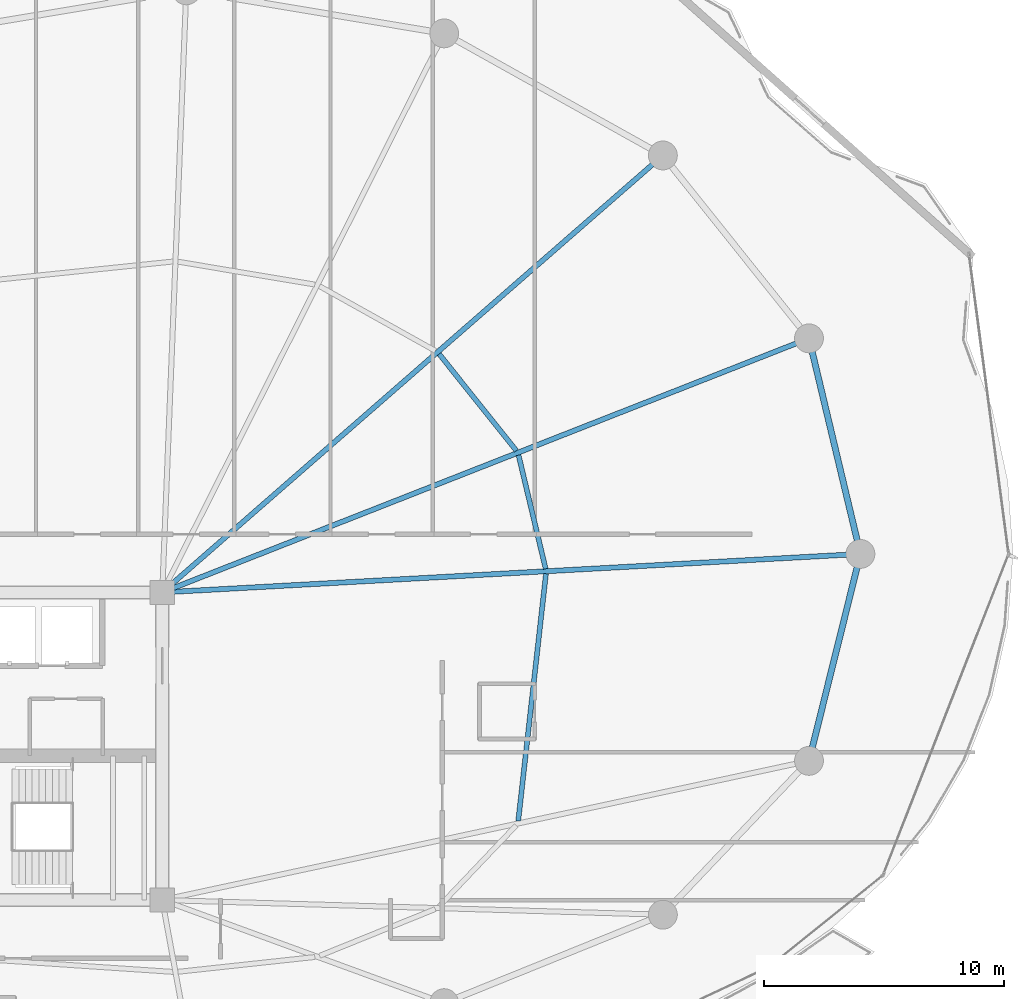
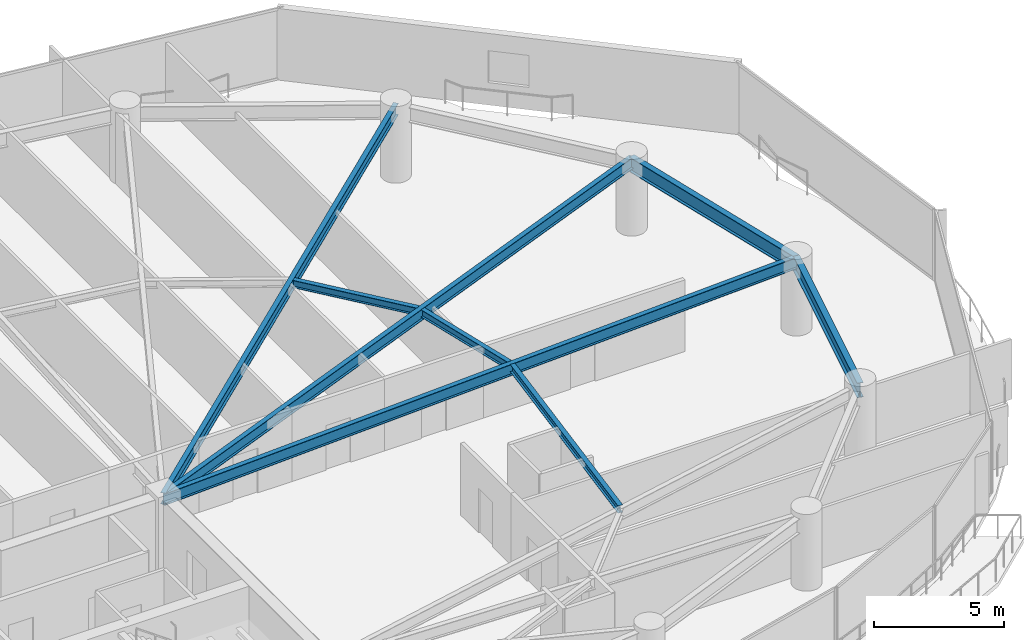
# One storey, part 16 of 33: 8 beams.
"""IFC4 building model written with IfcOpenShell, lengths in metres."""

from ifc_helpers import new_model, si_unit, direction, frame, origin, origin_2d, place, context, subcontext, project, spatial, i_section, extrude, material, material_profile, profile_set, type_object, element, save


model = new_model("IFC4")

# Units and contexts
model_context = context("Model", 3, precision=1e-05, world=origin(), true_north=direction((0.0, 1.0)))
body_context = subcontext(model_context, "Body", "Model", "MODEL_VIEW")
ifc_project = project(units=[si_unit("LENGTHUNIT", "METRE"), si_unit("AREAUNIT", "SQUARE_METRE"), si_unit("VOLUMEUNIT", "CUBIC_METRE"), si_unit("PLANEANGLEUNIT", "RADIAN"), si_unit("MASSUNIT", "GRAM", prefix="KILO")], contexts=[model_context])

# Site, building, storey
site_placement = place(None, origin())
site = spatial("IfcSite", under=ifc_project, at=site_placement, CompositionType="ELEMENT")
building_placement = place(site_placement, origin())
building = spatial("IfcBuilding", under=site, at=building_placement, Name="Kazevale Care Tower and Concert Hall", CompositionType="ELEMENT")
storey_placement = place(building_placement, frame((0.0, 0.0, 145.800048828125)))
storey = spatial("IfcBuildingStorey", under=building, at=storey_placement, Name="L38", CompositionType="ELEMENT", Elevation=145.800048828125)

# Beams
ifc_material = material(Name="Steel ASTM A572 Gr 50", Category="steel")
ifc_material_profile_1 = material_profile(ifc_material, i_section(OverallWidth=0.2119140625, OverallDepth=0.5439453125, WebThickness=0.01318359375, FlangeThickness=0.021240234375, at=origin_2d()), Name="W530x123")
ifc_profile_set_1 = profile_set([ifc_material_profile_1], Name="Steel ASTM A572 Gr 50")
beam_type_1 = type_object("IfcBeamType", Name="Radial Floor Girder W530x123", PredefinedType="BEAM", material=ifc_profile_set_1)
beam_1_placement = place(storey_placement, frame((44.0, 36.39990234375, 3.087890625), z_axis=(0.998486500016, 0.054997357076, 0.0), x_axis=(-0.054997357076, 0.998486500016, 0.0)))
element("IfcBeam", 1, at=beam_1_placement, inside=storey, type_object=beam_type_1, Name="beam:L38:rad:01", PredefinedType="BEAM", context=body_context, shape_type="SweptSolid", body=[
    extrude(i_section(OverallWidth=0.2119140625, OverallDepth=0.5439453125, WebThickness=0.01318359375, FlangeThickness=0.021240234375, at=origin_2d()), origin(), (0.0, 0.0, 1.0), 29.093994140625),
])
beam_2_placement = place(storey_placement, frame((44.0, 36.39990234375, 3.087890625), z_axis=(0.930771301513, 0.36560194786, 0.0), x_axis=(-0.36560194786, 0.930771301513, 0.0)))
element("IfcBeam", 2, at=beam_2_placement, inside=storey, type_object=beam_type_1, Name="beam:L38:rad:02", PredefinedType="BEAM", context=body_context, shape_type="SweptSolid", body=[
    extrude(i_section(OverallWidth=0.2119140625, OverallDepth=0.5439453125, WebThickness=0.01318359375, FlangeThickness=0.021240234375, at=origin_2d()), origin(), (0.0, 0.0, 1.0), 28.911376953125),
])
beam_3_placement = place(storey_placement, frame((44.0, 36.39990234375, 3.087890625), z_axis=(0.753403181998, 0.657558853149, 0.0), x_axis=(-0.657558853149, 0.753403181998, 0.0)))
element("IfcBeam", 3, at=beam_3_placement, inside=storey, type_object=beam_type_1, Name="beam:L38:rad:03", PredefinedType="BEAM", context=body_context, shape_type="SweptSolid", body=[
    extrude(i_section(OverallWidth=0.2119140625, OverallDepth=0.5439453125, WebThickness=0.01318359375, FlangeThickness=0.021240234375, at=origin_2d()), origin(), (0.0, 0.0, 1.0), 27.64794921875),
])
ifc_material_profile_2 = material_profile(ifc_material, i_section(OverallWidth=0.205078125, OverallDepth=0.35400390625, WebThickness=0.009521484375, FlangeThickness=0.016845703125, at=origin_2d()), Name="W360x79")
ifc_profile_set_2 = profile_set([ifc_material_profile_2], Name="Steel ASTM A572 Gr 50")
beam_type_2 = type_object("IfcBeamType", Name="Secondary Floor Joist W360x79", PredefinedType="JOIST", material=ifc_profile_set_2)
beam_4_placement = place(storey_placement, frame((59.952880859375, 37.382080078125, 3.182861328125), z_axis=(-0.232005223279, 0.972714540023, 0.0), x_axis=(-0.972714540023, -0.232005223279, 0.0)))
element("IfcBeam", 4, at=beam_4_placement, inside=storey, type_object=beam_type_2, Name="beam:L38:joist:01", PredefinedType="JOIST", context=body_context, shape_type="SweptSolid", body=[
    extrude(i_section(OverallWidth=0.205078125, OverallDepth=0.35400390625, WebThickness=0.009521484375, FlangeThickness=0.016845703125, at=origin_2d()), origin(), (0.0, 0.0, 1.0), 4.861572265625),
])
beam_5_placement = place(storey_placement, frame((58.735107421875, 42.2958984375, 3.182861328125), z_axis=(-0.624261115922, 0.781215757104, 0.0), x_axis=(-0.781215757104, -0.624261115922, 0.0)))
element("IfcBeam", 5, at=beam_5_placement, inside=storey, type_object=beam_type_2, Name="beam:L38:joist:02", PredefinedType="JOIST", context=body_context, shape_type="SweptSolid", body=[
    extrude(i_section(OverallWidth=0.205078125, OverallDepth=0.35400390625, WebThickness=0.009521484375, FlangeThickness=0.016845703125, at=origin_2d()), origin(), (0.0, 0.0, 1.0), 5.147216796875),
])
beam_6_placement = place(storey_placement, frame((58.81201171875, 26.888916015625, 3.182861328125), z_axis=(0.111485011105, 0.993766115491, 0.0), x_axis=(-0.993766115491, 0.111485011105, 0.0)))
element("IfcBeam", 6, at=beam_6_placement, inside=storey, type_object=beam_type_2, Name="beam:L38:joist:16", PredefinedType="JOIST", context=body_context, shape_type="SweptSolid", body=[
    extrude(i_section(OverallWidth=0.205078125, OverallDepth=0.35400390625, WebThickness=0.009521484375, FlangeThickness=0.016845703125, at=origin_2d()), origin(), (0.0, 0.0, 1.0), 10.3515625),
])
ifc_material_profile_3 = material_profile(ifc_material, i_section(OverallWidth=0.256103515625, OverallDepth=0.693115234375, WebThickness=0.014404296875, FlangeThickness=0.023681640625, at=origin_2d()), Name="W690x170")
ifc_profile_set_3 = profile_set([ifc_material_profile_3], Name="Steel ASTM A572 Gr 50")
beam_type_3 = type_object("IfcBeamType", Name="Waist Ring Beam W690x170", PredefinedType="BEAM", material=ifc_profile_set_3)
beam_7_placement = place(storey_placement, frame((73.050048828125, 38.0, 3.013427734375), z_axis=(-0.232075055882, 0.972697881378, 0.0), x_axis=(-0.972697881378, -0.232075055882, 0.0)))
element("IfcBeam", 7, at=beam_7_placement, inside=storey, type_object=beam_type_3, Name="beam:L38:ring:01", PredefinedType="BEAM", context=body_context, shape_type="SweptSolid", body=[
    extrude(i_section(OverallWidth=0.256103515625, OverallDepth=0.693115234375, WebThickness=0.014404296875, FlangeThickness=0.023681640625, at=origin_2d()), origin(), (0.0, 0.0, 1.0), 9.2216796875),
])
beam_8_placement = place(storey_placement, frame((70.909912109375, 29.389892578125, 3.013427734375), z_axis=(0.241221022882, 0.970470204653, 0.0), x_axis=(-0.970470204653, 0.241221022882, 0.0)))
element("IfcBeam", 8, at=beam_8_placement, inside=storey, type_object=beam_type_3, Name="beam:L38:ring:16", PredefinedType="BEAM", context=body_context, shape_type="SweptSolid", body=[
    extrude(i_section(OverallWidth=0.256103515625, OverallDepth=0.693115234375, WebThickness=0.014404296875, FlangeThickness=0.023681640625, at=origin_2d()), origin(), (0.0, 0.0, 1.0), 8.8720703125),
])

save(model, "model.ifc")
